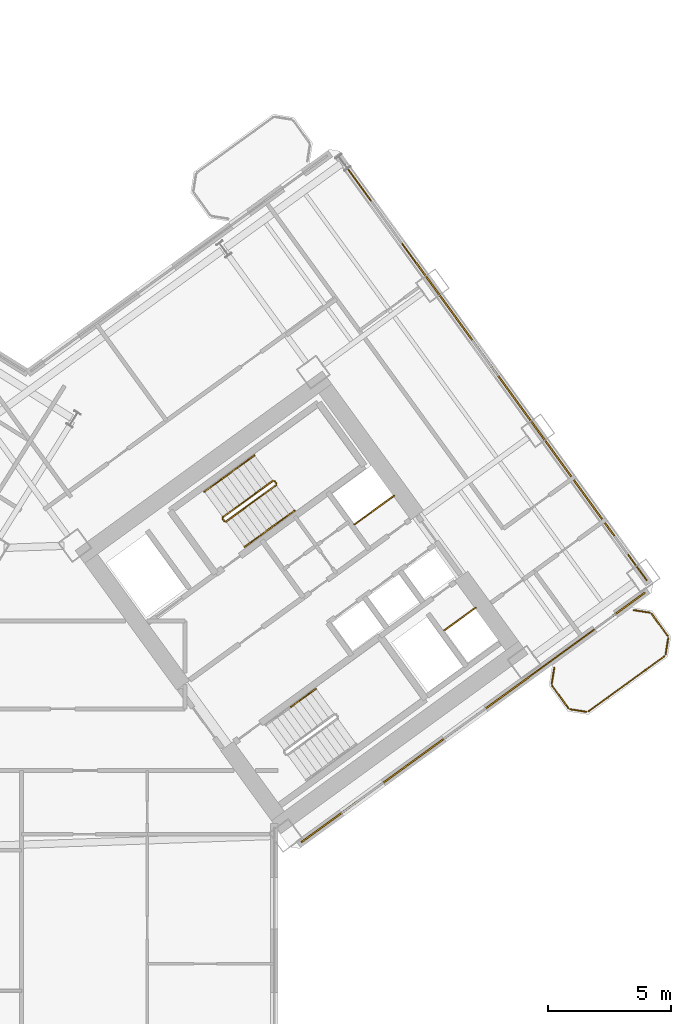
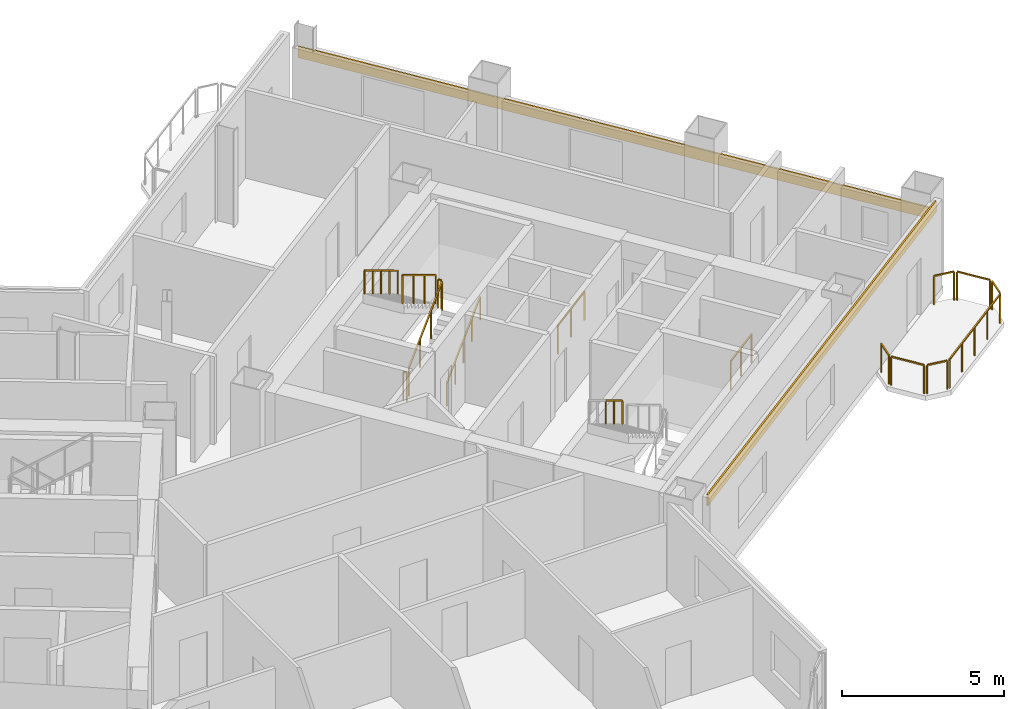
# One storey, part 20 of 21: 18 railings, 2 coverings.
"""IFC4 building model written with IfcOpenShell, lengths in metres."""

from ifc_helpers import new_model, si_unit, direction, frame, origin, origin_2d, place, context, subcontext, project, spatial, rectangle, extrude, source, transform, mapped, material, layer, layer_set, type_object, element, save


model = new_model("IFC4")

# Units and contexts
model_context = context("Model", 3, precision=1e-05, world=origin(), true_north=direction((0.0, 1.0)))
body_context = subcontext(model_context, "Body", "Model", "MODEL_VIEW")
ifc_project = project(units=[si_unit("LENGTHUNIT", "METRE"), si_unit("AREAUNIT", "SQUARE_METRE"), si_unit("VOLUMEUNIT", "CUBIC_METRE"), si_unit("PLANEANGLEUNIT", "RADIAN"), si_unit("MASSUNIT", "GRAM", prefix="KILO")], contexts=[model_context])

# Site, building, storey
site_placement = place(None, origin())
site = spatial("IfcSite", under=ifc_project, at=site_placement, CompositionType="ELEMENT")
building_placement = place(site_placement, origin())
building = spatial("IfcBuilding", under=site, at=building_placement, Name="Tlacorven Tower", CompositionType="ELEMENT")
storey_placement = place(building_placement, frame((0.0, 0.0, 81.0)))
storey = spatial("IfcBuildingStorey", under=building, at=storey_placement, Name="L20", CompositionType="ELEMENT", Elevation=81.0)

# Railings
ifc_material_1 = material(Name="Aluminium and painted steel balustrade", Category="steel")
railing_type_1 = type_object("IfcRailingType", Name="RL-GRD-1100", PredefinedType="GUARDRAIL", material=ifc_material_1)
shared_shape_1 = source(origin(), body_context, "Body", "SweptSolid", [
    extrude(rectangle(XDim=0.048095703125, YDim=0.048095703125, at=origin_2d()), frame((0.0, 0.0, 1.076171875), z_axis=(0.808947177504, 0.587881334972, 0.0), x_axis=(-0.587881334972, 0.808947177504, 0.0)), (0.0, 0.0, 1.0), 2.0),
    extrude(rectangle(XDim=0.0419921875, YDim=0.0419921875, at=origin_2d()), origin(), (0.0, 0.0, 1.0), 1.052001953125),
    extrude(rectangle(XDim=0.0419921875, YDim=0.0419921875, at=origin_2d()), frame((0.80908203125, 0.587890625, 0.0)), (0.0, 0.0, 1.0), 1.052001953125),
    extrude(rectangle(XDim=0.0419921875, YDim=0.0419921875, at=origin_2d()), frame((1.617919921875, 1.17578125, 0.0)), (0.0, 0.0, 1.0), 1.052001953125),
])
railing_1_placement = place(storey_placement, frame((55.506103515625, 25.438232421875, 0.0)))
element("IfcRailing", 1, at=railing_1_placement, inside=storey, type_object=railing_type_1, Name="L20 Electrical Riser E Shaft Guard 1", PredefinedType="GUARDRAIL", context=body_context, shape_type="MappedRepresentation", body=[
    mapped(shared_shape_1, transform((0.0, 0.0, 0.0), scale=1.0)),
])
shared_shape_2 = source(origin(), body_context, "Body", "SweptSolid", [
    extrude(rectangle(XDim=0.048095703125, YDim=0.048095703125, at=origin_2d()), frame((0.0, 0.0, 1.076171875), z_axis=(0.809029975545, 0.58776738483, 0.0), x_axis=(-0.58776738483, 0.809029975545, 0.0)), (0.0, 0.0, 1.0), 1.580078125),
    extrude(rectangle(XDim=0.0419921875, YDim=0.0419921875, at=origin_2d()), origin(), (0.0, 0.0, 1.0), 1.052001953125),
    extrude(rectangle(XDim=0.0419921875, YDim=0.0419921875, at=origin_2d()), frame((0.63916015625, 0.46435546875, 0.0)), (0.0, 0.0, 1.0), 1.052001953125),
    extrude(rectangle(XDim=0.0419921875, YDim=0.0419921875, at=origin_2d()), frame((1.2783203125, 0.9287109375, 0.0)), (0.0, 0.0, 1.0), 1.052001953125),
])
railing_2_placement = place(storey_placement, frame((59.160888671875, 21.122314453125, 0.0)))
element("IfcRailing", 2, at=railing_2_placement, inside=storey, type_object=railing_type_1, Name="L20 Smoke Riser E Shaft Guard 1", PredefinedType="GUARDRAIL", context=body_context, shape_type="MappedRepresentation", body=[
    mapped(shared_shape_2, transform((0.0, 0.0, 0.0), scale=1.0)),
])
railing_type_2 = type_object("IfcRailingType", Name="RL-BAL-1100", PredefinedType="BALUSTRADE", material=ifc_material_1)
shared_shape_3 = source(origin(), body_context, "Body", "SweptSolid", [
    extrude(rectangle(XDim=0.048095703125, YDim=0.048095703125, at=origin_2d()), frame((0.0, 0.0, 1.076171875), z_axis=(0.156602868908, 0.987661653326, 0.0), x_axis=(-0.987661653326, 0.156602868908, 0.0)), (0.0, 0.0, 1.0), 0.665771484375),
    extrude(rectangle(XDim=0.0419921875, YDim=0.0419921875, at=origin_2d()), origin(), (0.0, 0.0, 1.0), 1.052001953125),
    extrude(rectangle(XDim=0.0419921875, YDim=0.0419921875, at=origin_2d()), frame((0.104248046875, 0.657470703125, 0.0)), (0.0, 0.0, 1.0), 1.052001953125),
])
railing_3_placement = place(storey_placement, frame((63.539306640625, 18.949951171875, 0.0)))
element("IfcRailing", 3, at=railing_3_placement, inside=storey, type_object=railing_type_2, Name="BAL-L20-E-OUT Guard Railing 3", PredefinedType="BALUSTRADE", context=body_context, shape_type="MappedRepresentation", body=[
    mapped(shared_shape_3, transform((0.0, 0.0, 0.0), scale=1.0)),
])
shared_shape_4 = source(origin(), body_context, "Body", "SweptSolid", [
    extrude(rectangle(XDim=0.048095703125, YDim=0.048095703125, at=origin_2d()), frame((0.0, 0.0, 1.076171875), z_axis=(0.58788449985, -0.808944877501, 0.0), x_axis=(0.808944877501, 0.58788449985, 0.0)), (0.0, 0.0, 1.0), 1.112060546875),
    extrude(rectangle(XDim=0.0419921875, YDim=0.0419921875, at=origin_2d()), origin(), (0.0, 0.0, 1.0), 1.052001953125),
    extrude(rectangle(XDim=0.0419921875, YDim=0.0419921875, at=origin_2d()), frame((0.65380859375, -0.899658203125, 0.0)), (0.0, 0.0, 1.0), 1.052001953125),
])
railing_4_placement = place(storey_placement, frame((67.60595703125, 21.799072265625, 0.0)))
element("IfcRailing", 4, at=railing_4_placement, inside=storey, type_object=railing_type_2, Name="BAL-L20-E-OUT Guard Railing 5", PredefinedType="BALUSTRADE", context=body_context, shape_type="MappedRepresentation", body=[
    mapped(shared_shape_4, transform((0.0, 0.0, 0.0), scale=1.0)),
])
shared_shape_5 = source(origin(), body_context, "Body", "SweptSolid", [
    extrude(rectangle(XDim=0.048095703125, YDim=0.048095703125, at=origin_2d()), frame((0.0, 0.0, 1.076171875), z_axis=(-0.809018102573, -0.587783726986, 0.0), x_axis=(0.587783726986, -0.809018102573, 0.0)), (0.0, 0.0, 1.0), 3.817138671875),
    extrude(rectangle(XDim=0.0419921875, YDim=0.0419921875, at=origin_2d()), origin(), (0.0, 0.0, 1.0), 1.052001953125),
    extrude(rectangle(XDim=0.0419921875, YDim=0.0419921875, at=origin_2d()), frame((-0.77197265625, -0.56103515625, 0.0)), (0.0, 0.0, 1.0), 1.052001953125),
    extrude(rectangle(XDim=0.0419921875, YDim=0.0419921875, at=origin_2d()), frame((-1.5439453125, -1.121826171875, 0.0)), (0.0, 0.0, 1.0), 1.052001953125),
    extrude(rectangle(XDim=0.0419921875, YDim=0.0419921875, at=origin_2d()), frame((-2.316162109375, -1.6826171875, 0.0)), (0.0, 0.0, 1.0), 1.052001953125),
    extrude(rectangle(XDim=0.0419921875, YDim=0.0419921875, at=origin_2d()), frame((-3.088134765625, -2.24365234375, 0.0)), (0.0, 0.0, 1.0), 1.052001953125),
])
railing_5_placement = place(storey_placement, frame((68.12890625, 20.0732421875, 0.0)))
element("IfcRailing", 5, at=railing_5_placement, inside=storey, type_object=railing_type_2, Name="BAL-L20-E-OUT Guard Railing 7", PredefinedType="BALUSTRADE", context=body_context, shape_type="MappedRepresentation", body=[
    mapped(shared_shape_5, transform((0.0, 0.0, 0.0), scale=1.0)),
])
shared_shape_6 = source(origin(), body_context, "Body", "SweptSolid", [
    extrude(rectangle(XDim=0.048095703125, YDim=0.048095703125, at=origin_2d()), frame((0.0, 0.0, 1.076171875), z_axis=(-0.987718317463, 0.156245081039, 0.0), x_axis=(-0.156245081039, -0.987718317463, 0.0)), (0.0, 0.0, 1.0), 0.66552734375),
    extrude(rectangle(XDim=0.0419921875, YDim=0.0419921875, at=origin_2d()), origin(), (0.0, 0.0, 1.0), 1.052001953125),
    extrude(rectangle(XDim=0.0419921875, YDim=0.0419921875, at=origin_2d()), frame((-0.657470703125, 0.10400390625, 0.0)), (0.0, 0.0, 1.0), 1.052001953125),
])
railing_6_placement = place(storey_placement, frame((64.950927734375, 17.80810546875, 0.0)))
element("IfcRailing", 6, at=railing_6_placement, inside=storey, type_object=railing_type_2, Name="BAL-L20-E-OUT Guard Railing 1", PredefinedType="BALUSTRADE", context=body_context, shape_type="MappedRepresentation", body=[
    mapped(shared_shape_6, transform((0.0, 0.0, 0.0), scale=1.0)),
])
shared_shape_7 = source(origin(), body_context, "Body", "SweptSolid", [
    extrude(rectangle(XDim=0.048095703125, YDim=0.048095703125, at=origin_2d()), frame((0.0, 0.0, 1.076171875), z_axis=(-0.587740817519, 0.809049276263, 0.0), x_axis=(-0.809049276263, -0.587740817519, 0.0)), (0.0, 0.0, 1.0), 1.112060546875),
    extrude(rectangle(XDim=0.0419921875, YDim=0.0419921875, at=origin_2d()), origin(), (0.0, 0.0, 1.0), 1.052001953125),
    extrude(rectangle(XDim=0.0419921875, YDim=0.0419921875, at=origin_2d()), frame((-0.653564453125, 0.899658203125, 0.0)), (0.0, 0.0, 1.0), 1.052001953125),
])
railing_7_placement = place(storey_placement, frame((64.214599609375, 17.96044921875, 0.0)))
element("IfcRailing", 7, at=railing_7_placement, inside=storey, type_object=railing_type_2, Name="BAL-L20-E-OUT Guard Railing 2", PredefinedType="BALUSTRADE", context=body_context, shape_type="MappedRepresentation", body=[
    mapped(shared_shape_7, transform((0.0, 0.0, 0.0), scale=1.0)),
])
shared_shape_8 = source(origin(), body_context, "Body", "SweptSolid", [
    extrude(rectangle(XDim=0.048095703125, YDim=0.048095703125, at=origin_2d()), frame((0.0, 0.0, 1.076171875), z_axis=(-0.156245081039, -0.987718317463, 0.0), x_axis=(0.987718317463, -0.156245081039, 0.0)), (0.0, 0.0, 1.0), 0.66552734375),
    extrude(rectangle(XDim=0.0419921875, YDim=0.0419921875, at=origin_2d()), origin(), (0.0, 0.0, 1.0), 1.052001953125),
    extrude(rectangle(XDim=0.0419921875, YDim=0.0419921875, at=origin_2d()), frame((-0.10400390625, -0.657470703125, 0.0)), (0.0, 0.0, 1.0), 1.052001953125),
])
railing_8_placement = place(storey_placement, frame((68.28125, 20.8095703125, 0.0)))
element("IfcRailing", 8, at=railing_8_placement, inside=storey, type_object=railing_type_2, Name="BAL-L20-E-OUT Guard Railing 6", PredefinedType="BALUSTRADE", context=body_context, shape_type="MappedRepresentation", body=[
    mapped(shared_shape_8, transform((0.0, 0.0, 0.0), scale=1.0)),
])

# Coverings
ifc_material_2 = material(Name="Precast concrete C45/55", Category="concrete")
ifc_layer = layer(ifc_material_2, 0.06005859375)
ifc_layer_set = layer_set([ifc_layer], Name="Precast concrete C45/55")
covering_type = type_object("IfcCoveringType", Name="CV-CLD-TERC", PredefinedType="CLADDING", material=ifc_layer_set)
shared_shape_9 = source(origin(), body_context, "Body", "SweptSolid", [
    extrude(rectangle(XDim=21.287353515625, YDim=0.06005859375, at=origin_2d()), origin(), (0.0, 0.0, 1.0), 0.419921875),
])
covering_1_placement = place(storey_placement, frame((61.15478515625, 31.767333984375, 2.324951171875), z_axis=(0.0, 0.0, 1.0), x_axis=(0.587785363163, -0.809016913823, 0.0)))
element("IfcCovering", 9, at=covering_1_placement, inside=storey, type_object=covering_type, Name="L20 Masonry-Frame Spandrel Cladding 5", PredefinedType="CLADDING", context=body_context, shape_type="MappedRepresentation", body=[
    mapped(shared_shape_9, transform((0.0, 0.0, 0.0), scale=1.0)),
])
shared_shape_10 = source(origin(), body_context, "Body", "SweptSolid", [
    extrude(rectangle(XDim=17.287353515625, YDim=0.06005859375, at=origin_2d()), origin(), (0.0, 0.0, 1.0), 0.419921875),
])
covering_2_placement = place(storey_placement, frame((60.339111328125, 17.578125, 2.900146484375), z_axis=(0.0, 0.0, 1.0), x_axis=(-0.809016829126, -0.587785479738, 0.0)))
element("IfcCovering", 10, at=covering_2_placement, inside=storey, type_object=covering_type, Name="L20 Masonry-Frame Spandrel Cladding 6", PredefinedType="CLADDING", context=body_context, shape_type="MappedRepresentation", body=[
    mapped(shared_shape_10, transform((0.0, 0.0, 0.0), scale=1.0)),
])

# Railings
shared_shape_11 = source(origin(), body_context, "Body", "SweptSolid", [
    extrude(rectangle(XDim=0.048095703125, YDim=0.048095703125, at=origin_2d()), frame((0.0, 0.0, 1.076171875), z_axis=(0.987727266442, -0.156188498702, 0.0), x_axis=(0.156188498702, 0.987727266442, 0.0)), (0.0, 0.0, 1.0), 0.665771484375),
    extrude(rectangle(XDim=0.0419921875, YDim=0.0419921875, at=origin_2d()), origin(), (0.0, 0.0, 1.0), 1.052001953125),
    extrude(rectangle(XDim=0.0419921875, YDim=0.0419921875, at=origin_2d()), frame((0.65771484375, -0.10400390625, 0.0)), (0.0, 0.0, 1.0), 1.052001953125),
])
railing_9_placement = place(storey_placement, frame((66.86962890625, 21.951416015625, 0.0)))
element("IfcRailing", 11, at=railing_9_placement, inside=storey, type_object=railing_type_2, Name="BAL-L20-E-OUT Guard Railing 4", PredefinedType="BALUSTRADE", context=body_context, shape_type="MappedRepresentation", body=[
    mapped(shared_shape_11, transform((0.0, 0.0, 0.0), scale=1.0)),
])
shared_shape_12 = source(origin(), body_context, "Body", "SweptSolid", [
    extrude(rectangle(XDim=0.048095703125, YDim=0.048095703125, at=origin_2d()), frame((0.0, 0.0, 1.076171875), z_axis=(-0.587201422542, 0.809440849824, 0.0), x_axis=(-0.809440849824, -0.587201422542, 0.0)), (0.0, 0.0, 1.0), 0.11962890625),
    extrude(rectangle(XDim=0.0419921875, YDim=0.0419921875, at=origin_2d()), origin(), (0.0, 0.0, 1.0), 1.052001953125),
    extrude(rectangle(XDim=0.0419921875, YDim=0.0419921875, at=origin_2d()), frame((-0.0703125, 0.096923828125, 0.0)), (0.0, 0.0, 1.0), 1.052001953125),
])
for number, where, name in (
    (12, (52.326904296875, 27.10888671875, 1.800048828125), "L20 ST-E1 stair guard 2"),
    (13, (50.207275390625, 25.56884765625, 0.0), "L20 ST-E1 stair guard 4"),
):
    element("IfcRailing", number, at=place(storey_placement, frame(where)), inside=storey, type_object=railing_type_1, Name=name, PredefinedType="GUARDRAIL", context=body_context, shape_type="MappedRepresentation", body=[
        mapped(shared_shape_12, transform((0.0, 0.0, 0.0), scale=1.0)),
    ])
shared_shape_13 = source(origin(), body_context, "Body", "SweptSolid", [
    extrude(rectangle(XDim=0.048095703125, YDim=0.048095703125, at=origin_2d()), frame((0.0, 0.0, 1.076171875), z_axis=(0.680488636597, 0.494434078831, 0.540805100894), x_axis=(-0.5878087079, 0.808999952359, 0.0)), (0.0, 0.0, 1.0), 2.995849609375),
    extrude(rectangle(XDim=0.0419921875, YDim=0.0419921875, at=origin_2d()), origin(), (0.0, 0.0, 1.0), 1.052001953125),
    extrude(rectangle(XDim=0.0419921875, YDim=0.0419921875, at=origin_2d()), frame((0.679443359375, 0.49365234375, 0.5400390625)), (0.0, 0.0, 1.0), 1.052001953125),
    extrude(rectangle(XDim=0.0419921875, YDim=0.0419921875, at=origin_2d()), frame((1.359130859375, 0.987548828125, 1.080078125)), (0.0, 0.0, 1.0), 1.052001953125),
    extrude(rectangle(XDim=0.0419921875, YDim=0.0419921875, at=origin_2d()), frame((2.03857421875, 1.481201171875, 1.6201171875)), (0.0, 0.0, 1.0), 1.052001953125),
])
railing_10_placement = place(storey_placement, frame((50.27734375, 25.557861328125, 0.179931640625)))
element("IfcRailing", 14, at=railing_10_placement, inside=storey, type_object=railing_type_1, Name="L20 ST-E1 stair guard 1", PredefinedType="GUARDRAIL", context=body_context, shape_type="MappedRepresentation", body=[
    mapped(shared_shape_13, transform((0.0, 0.0, 0.0), scale=1.0)),
])
shared_shape_14 = source(origin(), body_context, "Body", "SweptSolid", [
    extrude(rectangle(XDim=0.048095703125, YDim=0.048095703125, at=origin_2d()), frame((0.0, 0.0, 1.076171875), z_axis=(-0.680488636597, -0.494434078831, 0.540805100894), x_axis=(0.5878087079, -0.808999952359, 0.0)), (0.0, 0.0, 1.0), 2.995849609375),
    extrude(rectangle(XDim=0.0419921875, YDim=0.0419921875, at=origin_2d()), origin(), (0.0, 0.0, 1.0), 1.052001953125),
    extrude(rectangle(XDim=0.0419921875, YDim=0.0419921875, at=origin_2d()), frame((-0.679443359375, -0.49365234375, 0.5400390625)), (0.0, 0.0, 1.0), 1.052001953125),
    extrude(rectangle(XDim=0.0419921875, YDim=0.0419921875, at=origin_2d()), frame((-1.359130859375, -0.987548828125, 1.080078125)), (0.0, 0.0, 1.0), 1.052001953125),
    extrude(rectangle(XDim=0.0419921875, YDim=0.0419921875, at=origin_2d()), frame((-2.03857421875, -1.481201171875, 1.6201171875)), (0.0, 0.0, 1.0), 1.052001953125),
])
railing_11_placement = place(storey_placement, frame((52.1865234375, 27.217041015625, 1.97998046875)))
element("IfcRailing", 15, at=railing_11_placement, inside=storey, type_object=railing_type_1, Name="L20 ST-E1 stair guard 3", PredefinedType="GUARDRAIL", context=body_context, shape_type="MappedRepresentation", body=[
    mapped(shared_shape_14, transform((0.0, 0.0, 0.0), scale=1.0)),
])
railing_type_3 = type_object("IfcRailingType", Name="RL-HND-0900", PredefinedType="HANDRAIL", material=ifc_material_1)
shared_shape_15 = source(origin(), body_context, "Body", "SweptSolid", [
    extrude(rectangle(XDim=0.048095703125, YDim=0.048095703125, at=origin_2d()), frame((0.0, 0.0, 0.8759765625), z_axis=(0.680516055757, 0.494372502302, 0.540826891737), x_axis=(-0.587745292299, 0.809046025502, 0.0)), (0.0, 0.0, 1.0), 1.497802734375),
    extrude(rectangle(XDim=0.0419921875, YDim=0.0419921875, at=origin_2d()), origin(), (0.0, 0.0, 1.0), 0.851806640625),
    extrude(rectangle(XDim=0.0419921875, YDim=0.0419921875, at=origin_2d()), frame((0.509765625, 0.3701171875, 0.405029296875)), (0.0, 0.0, 1.0), 0.851806640625),
    extrude(rectangle(XDim=0.0419921875, YDim=0.0419921875, at=origin_2d()), frame((1.019287109375, 0.740478515625, 0.81005859375)), (0.0, 0.0, 1.0), 0.851806640625),
])
railing_12_placement = place(storey_placement, frame((51.029541015625, 24.522216796875, 0.179931640625)))
element("IfcRailing", 16, at=railing_12_placement, inside=storey, type_object=railing_type_3, Name="L20 ST-E1 stair handrail 1", PredefinedType="HANDRAIL", context=body_context, shape_type="MappedRepresentation", body=[
    mapped(shared_shape_15, transform((0.0, 0.0, 0.0), scale=1.0)),
])
shared_shape_16 = source(origin(), body_context, "Body", "SweptSolid", [
    extrude(rectangle(XDim=0.048095703125, YDim=0.048095703125, at=origin_2d()), frame((0.0, 0.0, 0.8759765625), z_axis=(0.680548719995, 0.49444080854, 0.540723336433), x_axis=(-0.587779977844, 0.80902082646, 0.0)), (0.0, 0.0, 1.0), 1.498046875),
    extrude(rectangle(XDim=0.0419921875, YDim=0.0419921875, at=origin_2d()), origin(), (0.0, 0.0, 1.0), 0.851806640625),
    extrude(rectangle(XDim=0.0419921875, YDim=0.0419921875, at=origin_2d()), frame((0.509765625, 0.370361328125, 0.405029296875)), (0.0, 0.0, 1.0), 0.851806640625),
    extrude(rectangle(XDim=0.0419921875, YDim=0.0419921875, at=origin_2d()), frame((1.01953125, 0.74072265625, 0.81005859375)), (0.0, 0.0, 1.0), 0.851806640625),
])
railing_13_placement = place(storey_placement, frame((52.048828125, 25.2626953125, 0.989990234375)))
element("IfcRailing", 17, at=railing_13_placement, inside=storey, type_object=railing_type_3, Name="L20 ST-E1 stair handrail 2", PredefinedType="HANDRAIL", context=body_context, shape_type="MappedRepresentation", body=[
    mapped(shared_shape_16, transform((0.0, 0.0, 0.0), scale=1.0)),
])
shared_shape_17 = source(origin(), body_context, "Body", "SweptSolid", [
    extrude(rectangle(XDim=0.048095703125, YDim=0.048095703125, at=origin_2d()), frame((0.0, 0.0, 0.8759765625), z_axis=(-0.680603554404, -0.494317667746, 0.540766904577), x_axis=(0.587653156371, -0.809112951205, 0.0)), (0.0, 0.0, 1.0), 1.498046875),
    extrude(rectangle(XDim=0.0419921875, YDim=0.0419921875, at=origin_2d()), origin(), (0.0, 0.0, 1.0), 0.851806640625),
    extrude(rectangle(XDim=0.0419921875, YDim=0.0419921875, at=origin_2d()), frame((-0.509765625, -0.3701171875, 0.405029296875)), (0.0, 0.0, 1.0), 0.851806640625),
    extrude(rectangle(XDim=0.0419921875, YDim=0.0419921875, at=origin_2d()), frame((-1.01953125, -0.740478515625, 0.81005859375)), (0.0, 0.0, 1.0), 0.851806640625),
])
railing_14_placement = place(storey_placement, frame((51.434326171875, 28.25244140625, 1.97998046875)))
element("IfcRailing", 18, at=railing_14_placement, inside=storey, type_object=railing_type_3, Name="L20 ST-E1 stair handrail 3", PredefinedType="HANDRAIL", context=body_context, shape_type="MappedRepresentation", body=[
    mapped(shared_shape_17, transform((0.0, 0.0, 0.0), scale=1.0)),
])
shared_shape_18 = source(origin(), body_context, "Body", "SweptSolid", [
    extrude(rectangle(XDim=0.048095703125, YDim=0.048095703125, at=origin_2d()), frame((0.0, 0.0, 0.8759765625), z_axis=(-0.680461216233, -0.494495647917, 0.540783309093), x_axis=(0.587872112667, -0.808953879494, 0.0)), (0.0, 0.0, 1.0), 1.498046875),
    extrude(rectangle(XDim=0.0419921875, YDim=0.0419921875, at=origin_2d()), origin(), (0.0, 0.0, 1.0), 0.851806640625),
    extrude(rectangle(XDim=0.0419921875, YDim=0.0419921875, at=origin_2d()), frame((-0.509765625, -0.370361328125, 0.405029296875)), (0.0, 0.0, 1.0), 0.851806640625),
    extrude(rectangle(XDim=0.0419921875, YDim=0.0419921875, at=origin_2d()), frame((-1.019287109375, -0.74072265625, 0.81005859375)), (0.0, 0.0, 1.0), 0.851806640625),
])
railing_15_placement = place(storey_placement, frame((50.414794921875, 27.511962890625, 2.7900390625)))
element("IfcRailing", 19, at=railing_15_placement, inside=storey, type_object=railing_type_3, Name="L20 ST-E1 stair handrail 4", PredefinedType="HANDRAIL", context=body_context, shape_type="MappedRepresentation", body=[
    mapped(shared_shape_18, transform((0.0, 0.0, 0.0), scale=1.0)),
])
shared_shape_19 = source(origin(), body_context, "Body", "SweptSolid", [
    extrude(rectangle(XDim=0.048095703125, YDim=0.048095703125, at=origin_2d()), frame((0.0, 0.0, 0.8759765625), z_axis=(-0.680516055757, -0.494372502302, 0.540826891737), x_axis=(0.587745292299, -0.809046025502, 0.0)), (0.0, 0.0, 1.0), 1.497802734375),
    extrude(rectangle(XDim=0.0419921875, YDim=0.0419921875, at=origin_2d()), origin(), (0.0, 0.0, 1.0), 0.851806640625),
    extrude(rectangle(XDim=0.0419921875, YDim=0.0419921875, at=origin_2d()), frame((-0.509765625, -0.3701171875, 0.405029296875)), (0.0, 0.0, 1.0), 0.851806640625),
    extrude(rectangle(XDim=0.0419921875, YDim=0.0419921875, at=origin_2d()), frame((-1.019287109375, -0.740478515625, 0.81005859375)), (0.0, 0.0, 1.0), 0.851806640625),
])
railing_16_placement = place(storey_placement, frame((53.938232421875, 18.749267578125, 1.97998046875)))
element("IfcRailing", 20, at=railing_16_placement, inside=storey, type_object=railing_type_3, Name="L20 ST-E2 stair handrail 3", PredefinedType="HANDRAIL", context=body_context, shape_type="MappedRepresentation", body=[
    mapped(shared_shape_19, transform((0.0, 0.0, 0.0), scale=1.0)),
])

save(model, "model.ifc")
